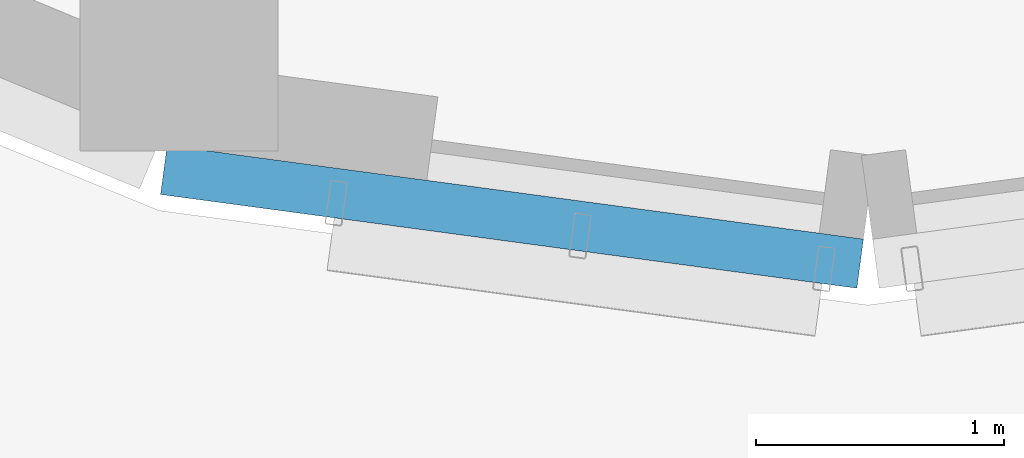
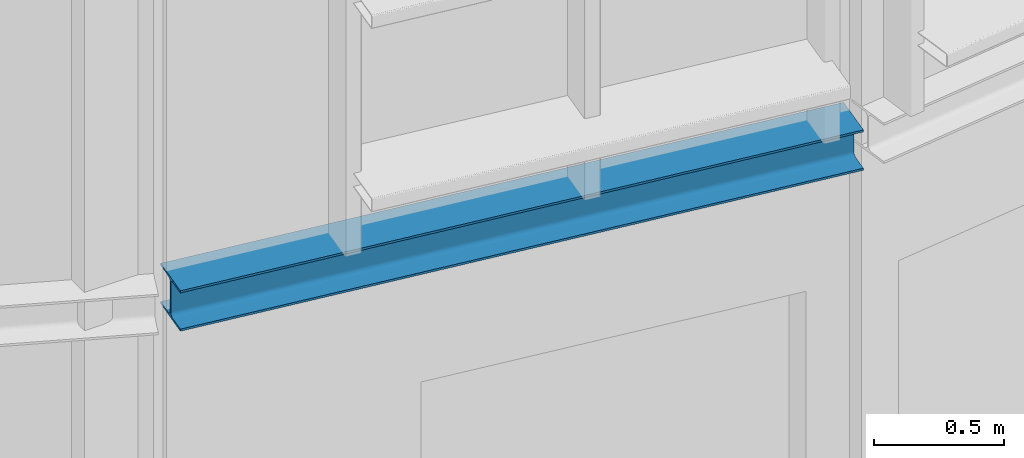
# One storey, part 32 of 372: 1 beam.
"""IFC4 building model written with IfcOpenShell, lengths in metres."""

import ifcopenshell
import ifcopenshell.guid

model = None  # the IFC model being written
_history = None  # IfcOwnerHistory: only IFC2X3 demands one
_inside = {}  # id of a spatial element -> (the spatial element, [elements in it])
_under = {}  # id of a project, library or spatial element -> (it, [spatial elements below it])
_declared = {}  # id of a project -> (the project, [libraries it declares])
_typed = {}  # id of a type object -> (the type object, [elements of that type])
_made_of = {}  # id of a material, layer set ... -> (it, [elements and type objects made of it])


def new_model(schema):
    """Start an empty IFC model of exactly this schema.

    Asked for "IFC4X3", IfcOpenShell would pick the latest addendum, in which some entities
    have other attributes; the version numbers below select the first issue.
    IFC2X3 requires an IfcOwnerHistory on every rooted entity: one is made here for all.
    """
    global model, _history
    if schema == "IFC4X3":
        model = ifcopenshell.file(schema_version=(4, 3, 0, 0))
    else:
        model = ifcopenshell.file(schema=schema)
    _inside.clear()
    _under.clear()
    _declared.clear()
    _typed.clear()
    _made_of.clear()
    _history = None
    if model.schema == "IFC2X3":
        org = make("IfcOrganization", Name="unknown")
        user = make(
            "IfcPersonAndOrganization",
            ThePerson=make("IfcPerson", FamilyName="unknown"),
            TheOrganization=org,
        )
        app = make(
            "IfcApplication",
            ApplicationDeveloper=org,
            Version="unknown",
            ApplicationFullName="unknown",
            ApplicationIdentifier="unknown",
        )
        _history = make(
            "IfcOwnerHistory",
            OwningUser=user,
            OwningApplication=app,
            ChangeAction="ADDED",
            CreationDate=0,
        )
    return model


def make(cls, **values):
    """One entity of the class cls with the attributes given. An attribute that is None is left unset."""
    return model.create_entity(
        cls, **{name: value for name, value in values.items() if value is not None}
    )


def rooted(cls, **values):
    """An entity with a GlobalId (a new one), such as an element, a storey or a relation."""
    return make(cls, GlobalId=ifcopenshell.guid.new(), OwnerHistory=_history, **values)


def si_unit(unit_type, name, prefix=None):
    """IfcSIUnit, for example si_unit("LENGTHUNIT", "METRE", prefix="MILLI")."""
    return make("IfcSIUnit", UnitType=unit_type, Prefix=prefix, Name=name)


def assignment(units):
    """IfcUnitAssignment: the units of a project."""
    return None if units is None else make("IfcUnitAssignment", Units=units)


def point(xyz):
    """IfcCartesianPoint."""
    return None if xyz is None else make("IfcCartesianPoint", Coordinates=xyz)


def direction(xyz):
    """IfcDirection."""
    return None if xyz is None else make("IfcDirection", DirectionRatios=xyz)


def frame(location, z_axis=None, x_axis=None):
    """IfcAxis2Placement3D, a coordinate frame: its origin and axes. An axis left out is left unset."""
    return make(
        "IfcAxis2Placement3D",
        Location=point(location),
        Axis=direction(z_axis),
        RefDirection=direction(x_axis),
    )


def frame_2d(location, x_axis=None):
    """IfcAxis2Placement2D, a coordinate frame in the plane: its origin and x axis."""
    return make(
        "IfcAxis2Placement2D", Location=point(location), RefDirection=direction(x_axis)
    )


def origin():
    """The frame at (0, 0, 0) with its axes left unset."""
    return frame((0.0, 0.0, 0.0))


def origin_2d():
    """The frame at (0, 0) in the plane with its x axis left unset."""
    return frame_2d((0.0, 0.0))


def place(relative_to, where):
    """IfcLocalPlacement: puts the frame where relative to a parent placement (None: the world)."""
    return make(
        "IfcLocalPlacement", PlacementRelTo=relative_to, RelativePlacement=where
    )


def context(
    kind, dimensions, precision=None, world=None, true_north=None, identifier=None
):
    """IfcGeometricRepresentationContext, for example the 3D "Model" context."""
    return make(
        "IfcGeometricRepresentationContext",
        ContextIdentifier=identifier,
        ContextType=kind,
        CoordinateSpaceDimension=dimensions,
        Precision=precision,
        WorldCoordinateSystem=world,
        TrueNorth=true_north,
    )


def subcontext(parent, identifier, kind, view, scale=None):
    """IfcGeometricRepresentationSubContext, for example "Body" below "Model"."""
    return make(
        "IfcGeometricRepresentationSubContext",
        ContextIdentifier=identifier,
        ContextType=kind,
        ParentContext=parent,
        TargetScale=scale,
        TargetView=view,
    )


def project(units=None, contexts=None):
    """IfcProject with its units and contexts."""
    return rooted(
        "IfcProject",
        Name="project",
        RepresentationContexts=contexts,
        UnitsInContext=assignment(units),
    )


def spatial(cls, under=None, at=None, **own):
    """A site, building, storey or space (cls), placed at a placement, below another one or the project."""
    s = rooted(cls, ObjectPlacement=at, **own)
    if under is not None:
        _under.setdefault(under.id(), (under, []))[1].append(s)
    return s


def profile(cls, at=None, kind="AREA", **sizes):
    """A parametric profile (cls). Its sizes go by their IFC names, for example OverallWidth=200.0."""
    return make(cls, ProfileType=kind, Position=at, **sizes)


def i_section(**sizes):
    """IfcIShapeProfileDef."""
    return profile("IfcIShapeProfileDef", **sizes)


def extrude(swept, where, along, depth):
    """IfcExtrudedAreaSolid: the profile swept, set in the frame where, extruded along a direction by depth."""
    return make(
        "IfcExtrudedAreaSolid",
        SweptArea=swept,
        Position=where,
        ExtrudedDirection=direction(along),
        Depth=depth,
    )


def shape(context_of_items, identifier, shape_type, items):
    """IfcShapeRepresentation: the items that make up one representation, for example the "Body"."""
    return make(
        "IfcShapeRepresentation",
        ContextOfItems=context_of_items,
        RepresentationIdentifier=identifier,
        RepresentationType=shape_type,
        Items=items,
    )


def material(Name=None, Category=None):
    """IfcMaterial."""
    return make("IfcMaterial", Name=Name, Category=Category)


def material_profile(
    of_material, cross_section, Name=None, Category=None, Priority=None
):
    """IfcMaterialProfile: a cross section and its material."""
    return make(
        "IfcMaterialProfile",
        Name=Name,
        Material=of_material,
        Profile=cross_section,
        Priority=Priority,
        Category=Category,
    )


def profile_set(profiles, Name=None, composite=None):
    """IfcMaterialProfileSet."""
    return make(
        "IfcMaterialProfileSet",
        Name=Name,
        MaterialProfiles=profiles,
        CompositeProfile=composite,
    )


def made_of(thing, what):
    """Note that an element or type object is made of a material, layer set ...; save() writes the relation."""
    if what is not None:
        _made_of.setdefault(what.id(), (what, []))[1].append(thing)
    return thing


def type_object(cls, material=None, **own):
    """A type object (cls), such as IfcWallType, which elements share."""
    return made_of(rooted(cls, **own), material)


def element(
    cls,
    number,
    at=None,
    inside=None,
    cuts=None,
    type_object=None,
    material=None,
    context=None,
    identifier="Body",
    shape_type=None,
    held_by="IfcProductDefinitionShape",
    body=None,
    shapes=None,
    **own,
):
    """One element of the class cls, such as IfcWall. Its Tag is "e" and its number.

    at: its placement. inside: the storey or other place that contains it. cuts: it is an
    opening in that element (IfcRelVoidsElement). A single representation is given by context,
    identifier, shape_type and body (its items); several are given by shapes. held_by: the class
    of the entity that holds the representations. save() writes the other relations.
    """
    e = rooted(cls, Tag="e%d" % number, ObjectPlacement=at, **own)
    if body is not None:
        shapes = [shape(context, identifier, shape_type, body)]
    if shapes is not None:
        e.Representation = make(held_by, Representations=shapes)
    if inside is not None:
        _inside.setdefault(inside.id(), (inside, []))[1].append(e)
    if cuts is not None:
        rooted(
            "IfcRelVoidsElement", RelatingBuildingElement=cuts, RelatedOpeningElement=e
        )
    if type_object is not None:
        _typed.setdefault(type_object.id(), (type_object, []))[1].append(e)
    return made_of(e, material)


def aggregate(whole, parts):
    """IfcRelAggregates: a whole, such as a stair, and the parts it consists of."""
    return rooted("IfcRelAggregates", RelatingObject=whole, RelatedObjects=parts)


def save(model, path):
    """Write the relations noted so far, then the file.

    IfcRelAggregates (storeys below a building ...), IfcRelContainedInSpatialStructure (elements
    in a storey), IfcRelDefinesByType, IfcRelAssociatesMaterial and IfcRelDeclares: one each for
    every whole, place, type object, material and project.
    """
    for whole, parts in _under.values():
        aggregate(whole, parts)
    for where, things in _inside.values():
        rooted(
            "IfcRelContainedInSpatialStructure",
            RelatedElements=things,
            RelatingStructure=where,
        )
    for kind, things in _typed.values():
        rooted("IfcRelDefinesByType", RelatedObjects=things, RelatingType=kind)
    for what, things in _made_of.values():
        rooted("IfcRelAssociatesMaterial", RelatedObjects=things, RelatingMaterial=what)
    for by, libraries in _declared.values():
        rooted("IfcRelDeclares", RelatingContext=by, RelatedDefinitions=libraries)
    model.write(path)


model = new_model("IFC4")

# Units and contexts
model_context = context("Model", 3, precision=1e-05, world=origin(), true_north=direction((0.0, 1.0)))
body_context = subcontext(model_context, "Body", "Model", "MODEL_VIEW")
ifc_project = project(units=[si_unit("LENGTHUNIT", "METRE"), si_unit("AREAUNIT", "SQUARE_METRE"), si_unit("VOLUMEUNIT", "CUBIC_METRE"), si_unit("PLANEANGLEUNIT", "RADIAN"), si_unit("MASSUNIT", "GRAM", prefix="KILO")], contexts=[model_context])

# Site, building, storey
site_placement = place(None, origin())
site = spatial("IfcSite", under=ifc_project, at=site_placement, CompositionType="ELEMENT")
building_placement = place(site_placement, origin())
building = spatial("IfcBuilding", under=site, at=building_placement, Name="Kaelora Sail Theatre", CompositionType="ELEMENT")
storey_placement = place(building_placement, origin())
storey = spatial("IfcBuildingStorey", under=building, at=storey_placement, Name="L00", CompositionType="ELEMENT", Elevation=0.0)

# Beam
ifc_material = material(Name="Steel S355", Category="steel")
ifc_material_profile = material_profile(ifc_material, i_section(OverallWidth=0.199951171875, OverallDepth=0.18994140625, WebThickness=0.006591796875, FlangeThickness=0.010009765625, FilletRadius=0.01806640625, at=origin_2d()), Name="HEA 200")
ifc_profile_set = profile_set([ifc_material_profile], Name="Steel S355")
beam_type = type_object("IfcBeamType", Name="STR-BM-BM-HEA200", PredefinedType="BEAM", material=ifc_profile_set)
beam_placement = place(storey_placement, frame((41.968017578125, 23.58203125, 3.0048828125), z_axis=(-0.991058036489, 0.133431511684, 0.0), x_axis=(-0.133431511684, -0.991058036489, 0.0)))
element("IfcBeam", 1, at=beam_placement, inside=storey, type_object=beam_type, Name="Main Theatre Sail Drum brise-soleil portal lintel beam C12", PredefinedType="BEAM", context=body_context, shape_type="SweptSolid", body=[
    extrude(i_section(OverallWidth=0.199951171875, OverallDepth=0.18994140625, WebThickness=0.006591796875, FlangeThickness=0.010009765625, FilletRadius=0.01806640625, at=origin_2d()), origin(), (0.0, 0.0, 1.0), 2.837890625),
])

save(model, "model.ifc")
